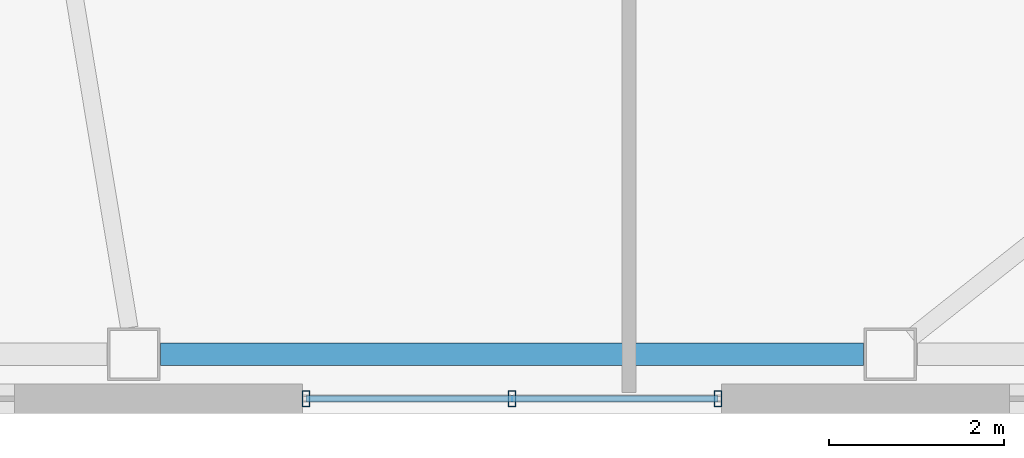
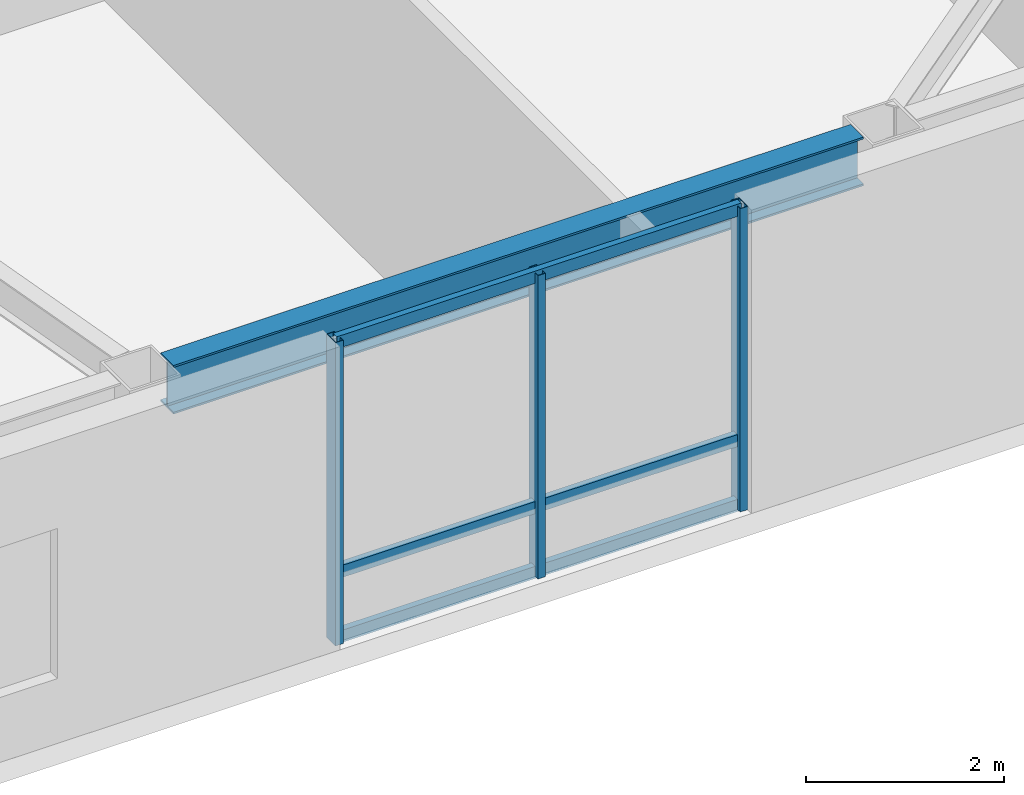
# One storey, part 4 of 18: 6 members, 1 beam, 1 element without a shape of its own.
"""IFC4 building model written with IfcOpenShell, lengths in metres."""

from ifc_helpers import new_model, si_unit, direction, frame, origin, origin_2d, place, context, subcontext, project, spatial, hollow_rectangle, i_section, extrude, material, layer, layer_set, material_profile, profile_set, type_object, element, aggregate, save


model = new_model("IFC4")

# Units and contexts
model_context = context("Model", 3, precision=1e-05, world=origin(), true_north=direction((0.0, 1.0)))
body_context = subcontext(model_context, "Body", "Model", "MODEL_VIEW")
ifc_project = project(units=[si_unit("LENGTHUNIT", "METRE"), si_unit("AREAUNIT", "SQUARE_METRE"), si_unit("VOLUMEUNIT", "CUBIC_METRE"), si_unit("PLANEANGLEUNIT", "RADIAN"), si_unit("MASSUNIT", "GRAM", prefix="KILO")], contexts=[model_context])

# Site, building, storey
site_placement = place(None, origin())
site = spatial("IfcSite", under=ifc_project, at=site_placement, CompositionType="ELEMENT")
building_placement = place(site_placement, origin())
building = spatial("IfcBuilding", under=site, at=building_placement, Name="Tavrogorsk Clinical Tower", CompositionType="ELEMENT")
storey_placement = place(building_placement, frame((0.0, 0.0, 192.199951171875)))
storey = spatial("IfcBuildingStorey", under=building, at=storey_placement, Name="L44", CompositionType="ELEMENT", Elevation=192.199951171875)

# Curtain wall, members
ifc_material_1 = material(Name="Anodised aluminium and triple IGU glazing", Category="aluminium")
ifc_layer = layer(ifc_material_1, 0.179931640625)
ifc_layer_set = layer_set([ifc_layer], Name="Anodised aluminium and triple IGU glazing")
curtain_wall_type = type_object("IfcCurtainWallType", Name="CW3_SouthSlot", PredefinedType="NOTDEFINED", material=ifc_layer_set)
curtain_wall_placement = place(storey_placement, origin())
curtain_wall = element("IfcCurtainWall", 1, at=curtain_wall_placement, inside=storey, type_object=curtain_wall_type, Name="L44 Curtain Wall CW-L44-S-SLOT-2", PredefinedType="NOTDEFINED")
ifc_material_2 = material(Name="Anodised aluminium alloy AW-6060", Category="aluminium")
ifc_material_profile_1 = material_profile(ifc_material_2, hollow_rectangle(XDim=0.090087890625, YDim=0.179931640625, WallThickness=0.00634765625, at=origin_2d()), Name="RHS-180x90x6.3")
ifc_profile_set_1 = profile_set([ifc_material_profile_1], Name="Anodised aluminium alloy AW-6060")
member_type_1 = type_object("IfcMemberType", Name="CwMullion_180x90", PredefinedType="MULLION", material=ifc_profile_set_1)
member_1_placement = place(storey_placement, frame((8.703857421875, -20.929931640625, 0.0), z_axis=(0.0, 0.0, 1.0), x_axis=(1.0, 0.0, 0.0)))
member_1 = element("IfcMember", 2, at=member_1_placement, type_object=member_type_1, Name="CW-L44-S-SLOT-2 Mullion 1", PredefinedType="MULLION", context=body_context, shape_type="SweptSolid", body=[
    extrude(hollow_rectangle(XDim=0.090087890625, YDim=0.179931640625, WallThickness=0.00634765625, at=origin_2d()), origin(), (0.0, 0.0, 1.0), 3.739990234375),
])
member_2_placement = place(storey_placement, frame((11.062744140625, -20.929931640625, 0.0), z_axis=(0.0, 0.0, 1.0), x_axis=(1.0, 0.0, 0.0)))
member_2 = element("IfcMember", 3, at=member_2_placement, type_object=member_type_1, Name="CW-L44-S-SLOT-2 Mullion 2", PredefinedType="MULLION", context=body_context, shape_type="SweptSolid", body=[
    extrude(hollow_rectangle(XDim=0.090087890625, YDim=0.179931640625, WallThickness=0.00634765625, at=origin_2d()), origin(), (0.0, 0.0, 1.0), 3.739990234375),
])
member_3_placement = place(storey_placement, frame((13.421875, -20.929931640625, 0.0), z_axis=(0.0, 0.0, 1.0), x_axis=(1.0, 0.0, 0.0)))
member_3 = element("IfcMember", 4, at=member_3_placement, type_object=member_type_1, Name="CW-L44-S-SLOT-2 Mullion 3", PredefinedType="MULLION", context=body_context, shape_type="SweptSolid", body=[
    extrude(hollow_rectangle(XDim=0.090087890625, YDim=0.179931640625, WallThickness=0.00634765625, at=origin_2d()), origin(), (0.0, 0.0, 1.0), 3.739990234375),
])
ifc_material_3 = material(Name="Anodised aluminium alloy AW-6060", Category="aluminium")
ifc_material_profile_2 = material_profile(ifc_material_3, hollow_rectangle(XDim=0.074951171875, YDim=0.14990234375, WallThickness=0.0048828125, at=origin_2d()), Name="RHS-150x75x5")
ifc_profile_set_2 = profile_set([ifc_material_profile_2], Name="Anodised aluminium alloy AW-6060")
member_type_2 = type_object("IfcMemberType", Name="CwTransom_150x75", PredefinedType="USERDEFINED", material=ifc_profile_set_2)
member_4_placement = place(storey_placement, frame((8.703857421875, -20.929931640625, 0.050048828125), z_axis=(1.0, 0.0, 0.0), x_axis=(0.0, 1.0, 0.0)))
member_4 = element("IfcMember", 5, at=member_4_placement, type_object=member_type_2, Name="CW-L44-S-SLOT-2 Transom 1", ObjectType="TRANSOM", PredefinedType="USERDEFINED", context=body_context, shape_type="SweptSolid", body=[
    extrude(hollow_rectangle(XDim=0.074951171875, YDim=0.14990234375, WallThickness=0.0048828125, at=origin_2d()), origin(), (0.0, 0.0, 1.0), 4.718017578125),
])
member_5_placement = place(storey_placement, frame((8.703857421875, -20.929931640625, 0.85009765625), z_axis=(1.0, 0.0, 0.0), x_axis=(0.0, 1.0, 0.0)))
member_5 = element("IfcMember", 6, at=member_5_placement, type_object=member_type_2, Name="CW-L44-S-SLOT-2 Transom 2", ObjectType="TRANSOM", PredefinedType="USERDEFINED", context=body_context, shape_type="SweptSolid", body=[
    extrude(hollow_rectangle(XDim=0.074951171875, YDim=0.14990234375, WallThickness=0.0048828125, at=origin_2d()), origin(), (0.0, 0.0, 1.0), 4.718017578125),
])
member_6_placement = place(storey_placement, frame((8.703857421875, -20.929931640625, 3.68994140625), z_axis=(1.0, 0.0, 0.0), x_axis=(0.0, 1.0, 0.0)))
member_6 = element("IfcMember", 7, at=member_6_placement, type_object=member_type_2, Name="CW-L44-S-SLOT-2 Transom 3", ObjectType="TRANSOM", PredefinedType="USERDEFINED", context=body_context, shape_type="SweptSolid", body=[
    extrude(hollow_rectangle(XDim=0.074951171875, YDim=0.14990234375, WallThickness=0.0048828125, at=origin_2d()), origin(), (0.0, 0.0, 1.0), 4.718017578125),
])
aggregate(curtain_wall, [member_1, member_2, member_3, member_4, member_5, member_6])

# Beam
ifc_material_4 = material(Name="Structural steel S390", Category="steel")
ifc_material_profile_3 = material_profile(ifc_material_4, i_section(OverallWidth=0.260009765625, OverallDepth=0.60009765625, WebThickness=0.014892578125, FlangeThickness=0.02392578125, at=origin_2d()), Name="B-600x260x15x24")
ifc_profile_set_3 = profile_set([ifc_material_profile_3], Name="Structural steel S390")
beam_type = type_object("IfcBeamType", Name="SpandrelBeam_B600", PredefinedType="SPANDREL", material=ifc_profile_set_3)
beam_placement = place(storey_placement, frame((7.039306640625, -20.419921875, 3.43994140625), z_axis=(1.0, 0.0, 0.0), x_axis=(0.0, 1.0, 0.0)))
element("IfcBeam", 8, at=beam_placement, inside=storey, type_object=beam_type, Name="L44 Perimeter Spandrel S5-S6", PredefinedType="SPANDREL", context=body_context, shape_type="SweptSolid", body=[
    extrude(i_section(OverallWidth=0.260009765625, OverallDepth=0.60009765625, WebThickness=0.014892578125, FlangeThickness=0.02392578125, at=origin_2d()), origin(), (0.0, 0.0, 1.0), 8.046875),
])

save(model, "model.ifc")
